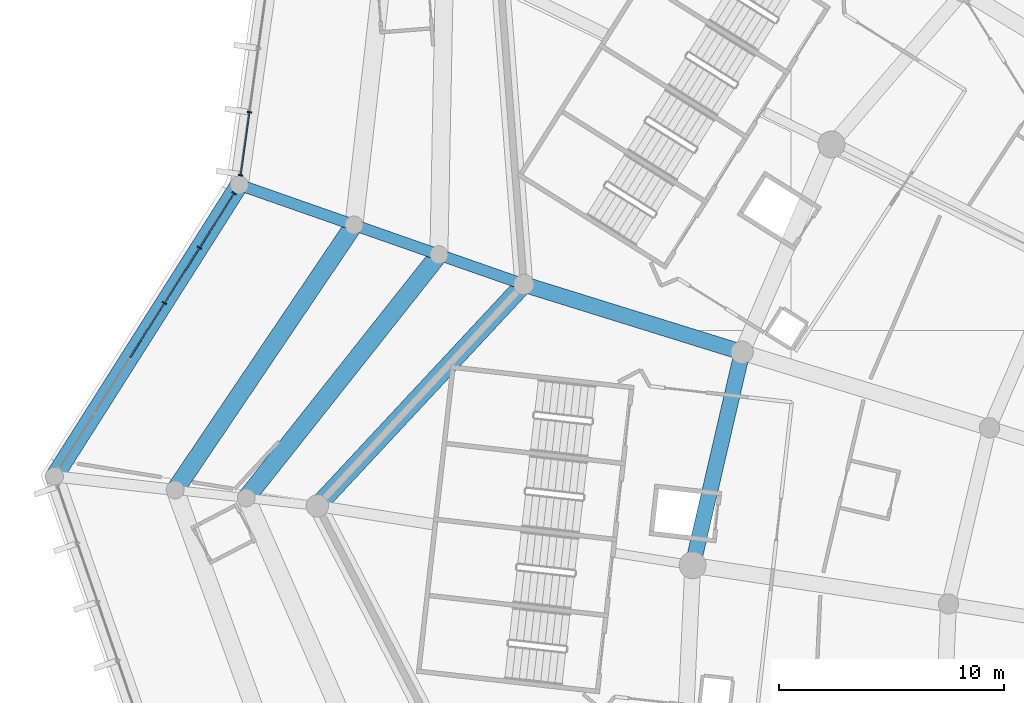
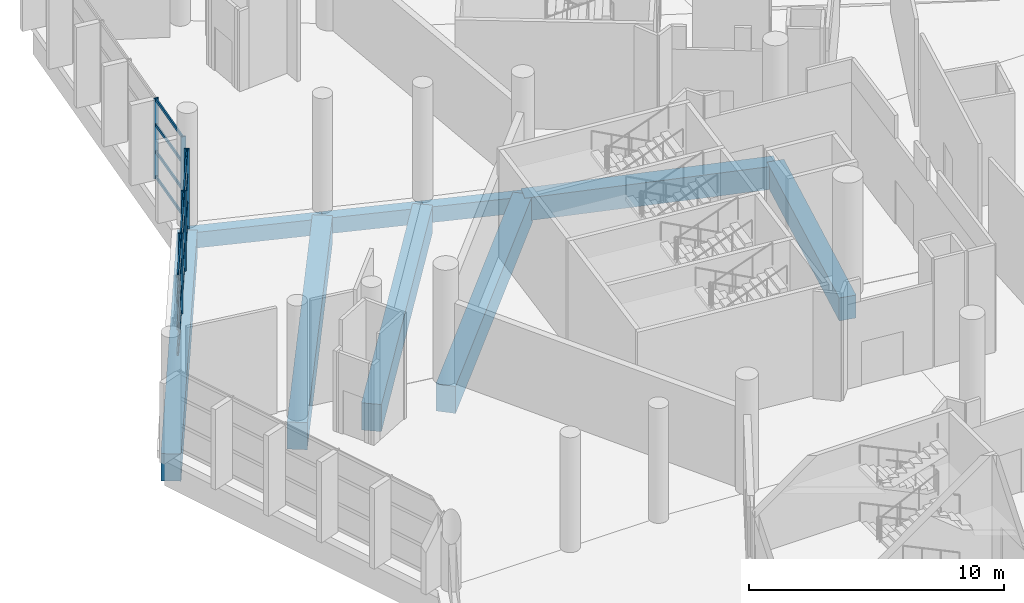
# One storey, part 72 of 271: 21 members, 9 beams, 2 elements without a shape of their own.
"""IFC4 building model written with IfcOpenShell, lengths in metres."""

from ifc_helpers import new_model, si_unit, direction, frame, origin, origin_2d, place, context, subcontext, project, spatial, rectangle, extrude, material, layer, layer_set, material_profile, profile_set, type_object, element, aggregate, save


model = new_model("IFC4")

# Units and contexts
model_context = context("Model", 3, precision=1e-05, world=origin(), true_north=direction((0.0, 1.0)))
body_context = subcontext(model_context, "Body", "Model", "MODEL_VIEW")
ifc_project = project(units=[si_unit("LENGTHUNIT", "METRE"), si_unit("AREAUNIT", "SQUARE_METRE"), si_unit("VOLUMEUNIT", "CUBIC_METRE"), si_unit("PLANEANGLEUNIT", "RADIAN"), si_unit("MASSUNIT", "GRAM", prefix="KILO")], contexts=[model_context])

# Site, building, storey
site_placement = place(None, origin())
site = spatial("IfcSite", under=ifc_project, at=site_placement, CompositionType="ELEMENT")
building_placement = place(site_placement, origin())
building = spatial("IfcBuilding", under=site, at=building_placement, Name="Meseta Stadium", CompositionType="ELEMENT")
storey_placement = place(building_placement, frame((0.0, 0.0, 6.5)))
storey = spatial("IfcBuildingStorey", under=building, at=storey_placement, Name="L01", CompositionType="ELEMENT", Elevation=6.5)

# Beams
ifc_material_1 = material(Name="Concrete C40/50", Category="concrete")
ifc_material_profile_1 = material_profile(ifc_material_1, rectangle(XDim=0.5, YDim=0.75, at=origin_2d()), Name="RC 500x750")
ifc_profile_set_1 = profile_set([ifc_material_profile_1], Name="Concrete C40/50")
beam_type_1 = type_object("IfcBeamType", Name="RC beam 500x750", PredefinedType="BEAM", material=ifc_profile_set_1)
for number, where, z_axis, x_axis, name in (
    (1, (-91.872802734375, 66.051513671875, -0.72509765625), (-0.943865968666, 0.330328674497, 0.0), (-0.330328674497, -0.943865968666, 0.0), "L01 radial beam frame 27 line R to M"),
    (2, (-95.648193359375, 67.372802734375, -0.72509765625), (-0.94389165523, 0.330255269735, 0.0), (-0.330255269735, -0.94389165523, 0.0), "L01 radial beam frame 27 line M to Q"),
):
    element("IfcBeam", number, at=place(storey_placement, frame(where, z_axis=z_axis, x_axis=x_axis)), inside=storey, type_object=beam_type_1, Name=name, PredefinedType="BEAM", context=body_context, shape_type="SweptSolid", body=[
        extrude(rectangle(XDim=0.5, YDim=0.75, at=origin_2d()), origin(), (0.0, 0.0, 1.0), 4.0),
    ])
beam_1_placement = place(storey_placement, frame((-99.423828125, 68.69384765625, -0.72509765625), z_axis=(-0.943885842652, 0.330271882003, 0.0), x_axis=(-0.330271882003, -0.943885842652, 0.0)))
element("IfcBeam", 3, at=beam_1_placement, inside=storey, type_object=beam_type_1, Name="L01 radial beam frame 27 line Q to O", PredefinedType="BEAM", context=body_context, shape_type="SweptSolid", body=[
    extrude(rectangle(XDim=0.5, YDim=0.75, at=origin_2d()), origin(), (0.0, 0.0, 1.0), 5.39990234375),
])
ifc_material_2 = material(Name="Concrete C40/50", Category="concrete")
ifc_material_profile_2 = material_profile(ifc_material_2, rectangle(XDim=0.699951171875, YDim=1.10009765625, at=origin_2d()), Name="RC 700x1100")
ifc_profile_set_2 = profile_set([ifc_material_profile_2], Name="Concrete C40/50")
beam_type_2 = type_object("IfcBeamType", Name="RC beam 700x1100", PredefinedType="BEAM", material=ifc_profile_set_2)
beam_2_placement = place(storey_placement, frame((-82.169189453125, 63.03369140625, -0.89990234375), z_axis=(-0.225749180431, -0.974185458491, 0.0), x_axis=(0.974185458491, -0.225749180431, 0.0)))
element("IfcBeam", 4, at=beam_2_placement, inside=storey, type_object=beam_type_2, Name="L01 ring beam frame 27 line P", PredefinedType="BEAM", context=body_context, shape_type="SweptSolid", body=[
    extrude(rectangle(XDim=0.699951171875, YDim=1.10009765625, at=origin_2d()), origin(), (0.0, 0.0, 1.0), 9.71923828125),
])
beam_3_placement = place(storey_placement, frame((-82.169189453125, 63.03369140625, -0.89990234375), z_axis=(-0.954886907796, 0.296969684176, 0.0), x_axis=(-0.296969684176, -0.954886907796, 0.0)))
element("IfcBeam", 5, at=beam_3_placement, inside=storey, type_object=beam_type_2, Name="L01 radial beam frame 27 line P to R", PredefinedType="BEAM", context=body_context, shape_type="SweptSolid", body=[
    extrude(rectangle(XDim=0.699951171875, YDim=1.10009765625, at=origin_2d()), origin(), (0.0, 0.0, 1.0), 10.162109375),
])
ifc_material_3 = material(Name="Concrete C40/50", Category="concrete")
ifc_material_profile_3 = material_profile(ifc_material_3, rectangle(XDim=0.800048828125, YDim=1.300048828125, at=origin_2d()), Name="RC 800x1300")
ifc_profile_set_3 = profile_set([ifc_material_profile_3], Name="Concrete C40/50")
beam_type_3 = type_object("IfcBeamType", Name="RC beam 800x1300", PredefinedType="BEAM", material=ifc_profile_set_3)
beam_4_placement = place(storey_placement, frame((-91.872802734375, 66.051513671875, -1.0), z_axis=(-0.681797952889, -0.73154053301, 0.0), x_axis=(0.73154053301, -0.681797952889, 0.0)))
element("IfcBeam", 6, at=beam_4_placement, inside=storey, type_object=beam_type_3, Name="L01 ring beam frame 27 line R", PredefinedType="BEAM", context=body_context, shape_type="SweptSolid", body=[
    extrude(rectangle(XDim=0.800048828125, YDim=1.300048828125, at=origin_2d()), origin(), (0.0, 0.0, 1.0), 13.462890625),
])
beam_5_placement = place(storey_placement, frame((-95.648193359375, 67.372802734375, -1.0), z_axis=(-0.620821710153, -0.783951786912, 0.0), x_axis=(0.783951786912, -0.620821710153, 0.0)))
element("IfcBeam", 7, at=beam_5_placement, inside=storey, type_object=beam_type_3, Name="L01 ring beam frame 27 line M", PredefinedType="BEAM", context=body_context, shape_type="SweptSolid", body=[
    extrude(rectangle(XDim=0.800048828125, YDim=1.300048828125, at=origin_2d()), origin(), (0.0, 0.0, 1.0), 13.794189453125),
])
beam_6_placement = place(storey_placement, frame((-99.423828125, 68.69384765625, -1.0), z_axis=(-0.559366030795, -0.828920770395, 0.0), x_axis=(0.828920770395, -0.559366030795, 0.0)))
element("IfcBeam", 8, at=beam_6_placement, inside=storey, type_object=beam_type_3, Name="L01 ring beam frame 27 line Q", PredefinedType="BEAM", context=body_context, shape_type="SweptSolid", body=[
    extrude(rectangle(XDim=0.800048828125, YDim=1.300048828125, at=origin_2d()), origin(), (0.0, 0.0, 1.0), 14.209716796875),
])
beam_7_placement = place(storey_placement, frame((-104.520751953125, 70.477294921875, -1.0), z_axis=(-0.535561122927, -0.844496467493, 0.0), x_axis=(0.844496467493, -0.535561122927, 0.0)))
element("IfcBeam", 9, at=beam_7_placement, inside=storey, type_object=beam_type_3, Name="L01 ring beam frame 27 line O", PredefinedType="BEAM", context=body_context, shape_type="SweptSolid", body=[
    extrude(rectangle(XDim=0.800048828125, YDim=1.300048828125, at=origin_2d()), origin(), (0.0, 0.0, 1.0), 15.34375),
])

# Curtain wall, members
ifc_material_4 = material(Name="Aluminium", Category="aluminium")
ifc_layer = layer(ifc_material_4, 0.199951171875)
ifc_layer_set = layer_set([ifc_layer], Name="Ring shopfront curtain wall")
curtain_wall_type = type_object("IfcCurtainWallType", Name="Ring shopfront curtain wall", PredefinedType="NOTDEFINED", material=ifc_layer_set)
curtain_wall_1_placement = place(storey_placement, origin())
curtain_wall_1 = element("IfcCurtainWall", 10, at=curtain_wall_1_placement, inside=storey, type_object=curtain_wall_type, Name="Ring glazing L01 F26", PredefinedType="NOTDEFINED")
ifc_material_5 = material(Name="Aluminium", Category="aluminium")
ifc_material_profile_4 = material_profile(ifc_material_5, rectangle(XDim=0.199951171875, YDim=0.06005859375, at=origin_2d()), Name="CW 200x60")
ifc_profile_set_4 = profile_set([ifc_material_profile_4], Name="Aluminium")
member_type_1 = type_object("IfcMemberType", Name="Ring CW mullion 60x200", PredefinedType="MULLION", material=ifc_profile_set_4)
member_1_placement = place(storey_placement, frame((-104.068115234375, 73.710205078125, 0.0), z_axis=(0.0, 0.0, 1.0), x_axis=(0.990342456098, -0.13864277713, 0.0)))
member_1 = element("IfcMember", 11, at=member_1_placement, type_object=member_type_1, Name="CWR1 mullion 5", PredefinedType="MULLION", context=body_context, shape_type="SweptSolid", body=[
    extrude(rectangle(XDim=0.199951171875, YDim=0.06005859375, at=origin_2d()), origin(), (0.0, 0.0, 1.0), 3.85009765625),
])
member_2_placement = place(storey_placement, frame((-104.461181640625, 70.903076171875, 0.0), z_axis=(0.0, 0.0, 1.0), x_axis=(0.990342456098, -0.13864277713, 0.0)))
member_2 = element("IfcMember", 12, at=member_2_placement, type_object=member_type_1, Name="CWR1 mullion 6", PredefinedType="MULLION", context=body_context, shape_type="SweptSolid", body=[
    extrude(rectangle(XDim=0.199951171875, YDim=0.06005859375, at=origin_2d()), origin(), (0.0, 0.0, 1.0), 3.85009765625),
])

curtain_wall_2_placement = place(storey_placement, origin())
curtain_wall_2 = element("IfcCurtainWall", 13, at=curtain_wall_2_placement, inside=storey, type_object=curtain_wall_type, Name="Ring glazing L01 F27", PredefinedType="NOTDEFINED")
member_3_placement = place(storey_placement, frame((-104.7509765625, 70.1142578125, 0.0), z_axis=(0.0, 0.0, 1.0), x_axis=(0.844491436677, -0.535569055659, 0.0)))
member_3 = element("IfcMember", 14, at=member_3_placement, type_object=member_type_1, Name="CWR1 mullion 1", PredefinedType="MULLION", context=body_context, shape_type="SweptSolid", body=[
    extrude(rectangle(XDim=0.199951171875, YDim=0.06005859375, at=origin_2d()), origin(), (0.0, 0.0, 1.0), 3.85009765625),
])
member_4_placement = place(storey_placement, frame((-106.292724609375, 67.68310546875, 0.0), z_axis=(0.0, 0.0, 1.0), x_axis=(0.844491436677, -0.535569055659, 0.0)))
member_4 = element("IfcMember", 15, at=member_4_placement, type_object=member_type_1, Name="CWR1 mullion 2", PredefinedType="MULLION", context=body_context, shape_type="SweptSolid", body=[
    extrude(rectangle(XDim=0.199951171875, YDim=0.06005859375, at=origin_2d()), origin(), (0.0, 0.0, 1.0), 3.85009765625),
])
member_5_placement = place(storey_placement, frame((-107.8505859375, 65.2265625, 0.0), z_axis=(0.0, 0.0, 1.0), x_axis=(0.844491436677, -0.535569055659, 0.0)))
member_5 = element("IfcMember", 16, at=member_5_placement, type_object=member_type_1, Name="CWR1 mullion 3", PredefinedType="MULLION", context=body_context, shape_type="SweptSolid", body=[
    extrude(rectangle(XDim=0.199951171875, YDim=0.06005859375, at=origin_2d()), origin(), (0.0, 0.0, 1.0), 3.85009765625),
])

# Member
ifc_material_6 = material(Name="Aluminium", Category="aluminium")
ifc_material_profile_5 = material_profile(ifc_material_6, rectangle(XDim=0.06005859375, YDim=0.14990234375, at=origin_2d()), Name="CW 60x150")
ifc_profile_set_5 = profile_set([ifc_material_profile_5], Name="Aluminium")
member_type_2 = type_object("IfcMemberType", Name="Ring CW transom 60x150", PredefinedType="USERDEFINED", material=ifc_profile_set_5)
member_6_placement = place(storey_placement, frame((-104.072265625, 73.680419921875, 0.074951171875), z_axis=(-0.138685819512, -0.990336429435, 0.0), x_axis=(0.990336429435, -0.138685819512, 0.0)))
member_6 = element("IfcMember", 17, at=member_6_placement, type_object=member_type_2, Name="CWR1 transom 5.1", ObjectType="TRANSOM", PredefinedType="USERDEFINED", context=body_context, shape_type="SweptSolid", body=[
    extrude(rectangle(XDim=0.06005859375, YDim=0.14990234375, at=origin_2d()), origin(), (0.0, 0.0, 1.0), 2.7744140625),
])

member_7_placement = place(storey_placement, frame((-104.072265625, 73.680419921875, 1.283447265625), z_axis=(-0.138685819512, -0.990336429435, 0.0), x_axis=(0.990336429435, -0.138685819512, 0.0)))
member_7 = element("IfcMember", 18, at=member_7_placement, type_object=member_type_2, Name="CWR1 transom 5.2", ObjectType="TRANSOM", PredefinedType="USERDEFINED", context=body_context, shape_type="SweptSolid", body=[
    extrude(rectangle(XDim=0.06005859375, YDim=0.14990234375, at=origin_2d()), origin(), (0.0, 0.0, 1.0), 2.7744140625),
])

member_8_placement = place(storey_placement, frame((-104.072265625, 73.680419921875, 2.566650390625), z_axis=(-0.138685819512, -0.990336429435, 0.0), x_axis=(0.990336429435, -0.138685819512, 0.0)))
member_8 = element("IfcMember", 19, at=member_8_placement, type_object=member_type_2, Name="CWR1 transom 5.3", ObjectType="TRANSOM", PredefinedType="USERDEFINED", context=body_context, shape_type="SweptSolid", body=[
    extrude(rectangle(XDim=0.06005859375, YDim=0.14990234375, at=origin_2d()), origin(), (0.0, 0.0, 1.0), 2.7744140625),
])

member_9_placement = place(storey_placement, frame((-104.072265625, 73.680419921875, 3.77490234375), z_axis=(-0.138685819512, -0.990336429435, 0.0), x_axis=(0.990336429435, -0.138685819512, 0.0)))
member_9 = element("IfcMember", 20, at=member_9_placement, type_object=member_type_2, Name="CWR1 transom 5.4", ObjectType="TRANSOM", PredefinedType="USERDEFINED", context=body_context, shape_type="SweptSolid", body=[
    extrude(rectangle(XDim=0.06005859375, YDim=0.14990234375, at=origin_2d()), origin(), (0.0, 0.0, 1.0), 2.7744140625),
])

aggregate(curtain_wall_1, [member_1, member_2, member_6, member_7, member_8, member_9])

member_10_placement = place(storey_placement, frame((-104.76708984375, 70.0888671875, 0.074951171875), z_axis=(-0.53560831474, -0.844466537632, 0.0), x_axis=(0.844466537632, -0.53560831474, 0.0)))
member_10 = element("IfcMember", 21, at=member_10_placement, type_object=member_type_2, Name="CWR1 transom 1.1", ObjectType="TRANSOM", PredefinedType="USERDEFINED", context=body_context, shape_type="SweptSolid", body=[
    extrude(rectangle(XDim=0.06005859375, YDim=0.14990234375, at=origin_2d()), origin(), (0.0, 0.0, 1.0), 2.81884765625),
])

member_11_placement = place(storey_placement, frame((-104.76708984375, 70.0888671875, 1.283447265625), z_axis=(-0.53560831474, -0.844466537632, 0.0), x_axis=(0.844466537632, -0.53560831474, 0.0)))
member_11 = element("IfcMember", 22, at=member_11_placement, type_object=member_type_2, Name="CWR1 transom 1.2", ObjectType="TRANSOM", PredefinedType="USERDEFINED", context=body_context, shape_type="SweptSolid", body=[
    extrude(rectangle(XDim=0.06005859375, YDim=0.14990234375, at=origin_2d()), origin(), (0.0, 0.0, 1.0), 2.81884765625),
])

member_12_placement = place(storey_placement, frame((-104.76708984375, 70.0888671875, 2.566650390625), z_axis=(-0.53560831474, -0.844466537632, 0.0), x_axis=(0.844466537632, -0.53560831474, 0.0)))
member_12 = element("IfcMember", 23, at=member_12_placement, type_object=member_type_2, Name="CWR1 transom 1.3", ObjectType="TRANSOM", PredefinedType="USERDEFINED", context=body_context, shape_type="SweptSolid", body=[
    extrude(rectangle(XDim=0.06005859375, YDim=0.14990234375, at=origin_2d()), origin(), (0.0, 0.0, 1.0), 2.81884765625),
])

member_13_placement = place(storey_placement, frame((-104.76708984375, 70.0888671875, 3.77490234375), z_axis=(-0.53560831474, -0.844466537632, 0.0), x_axis=(0.844466537632, -0.53560831474, 0.0)))
member_13 = element("IfcMember", 24, at=member_13_placement, type_object=member_type_2, Name="CWR1 transom 1.4", ObjectType="TRANSOM", PredefinedType="USERDEFINED", context=body_context, shape_type="SweptSolid", body=[
    extrude(rectangle(XDim=0.06005859375, YDim=0.14990234375, at=origin_2d()), origin(), (0.0, 0.0, 1.0), 2.81884765625),
])

member_14_placement = place(storey_placement, frame((-106.308837890625, 67.65771484375, 0.074951171875), z_axis=(-0.535610596293, -0.844465090539, 0.0), x_axis=(0.844465090539, -0.535610596293, 0.0)))
member_14 = element("IfcMember", 25, at=member_14_placement, type_object=member_type_2, Name="CWR1 transom 2.1", ObjectType="TRANSOM", PredefinedType="USERDEFINED", context=body_context, shape_type="SweptSolid", body=[
    extrude(rectangle(XDim=0.06005859375, YDim=0.14990234375, at=origin_2d()), origin(), (0.0, 0.0, 1.0), 2.848876953125),
])

member_15_placement = place(storey_placement, frame((-106.308837890625, 67.65771484375, 1.283447265625), z_axis=(-0.535610596293, -0.844465090539, 0.0), x_axis=(0.844465090539, -0.535610596293, 0.0)))
member_15 = element("IfcMember", 26, at=member_15_placement, type_object=member_type_2, Name="CWR1 transom 2.2", ObjectType="TRANSOM", PredefinedType="USERDEFINED", context=body_context, shape_type="SweptSolid", body=[
    extrude(rectangle(XDim=0.06005859375, YDim=0.14990234375, at=origin_2d()), origin(), (0.0, 0.0, 1.0), 2.848876953125),
])

member_16_placement = place(storey_placement, frame((-106.308837890625, 67.65771484375, 2.566650390625), z_axis=(-0.535610596293, -0.844465090539, 0.0), x_axis=(0.844465090539, -0.535610596293, 0.0)))
member_16 = element("IfcMember", 27, at=member_16_placement, type_object=member_type_2, Name="CWR1 transom 2.3", ObjectType="TRANSOM", PredefinedType="USERDEFINED", context=body_context, shape_type="SweptSolid", body=[
    extrude(rectangle(XDim=0.06005859375, YDim=0.14990234375, at=origin_2d()), origin(), (0.0, 0.0, 1.0), 2.848876953125),
])

member_17_placement = place(storey_placement, frame((-106.308837890625, 67.65771484375, 3.77490234375), z_axis=(-0.535610596293, -0.844465090539, 0.0), x_axis=(0.844465090539, -0.535610596293, 0.0)))
member_17 = element("IfcMember", 28, at=member_17_placement, type_object=member_type_2, Name="CWR1 transom 2.4", ObjectType="TRANSOM", PredefinedType="USERDEFINED", context=body_context, shape_type="SweptSolid", body=[
    extrude(rectangle(XDim=0.06005859375, YDim=0.14990234375, at=origin_2d()), origin(), (0.0, 0.0, 1.0), 2.848876953125),
])

member_18_placement = place(storey_placement, frame((-107.86669921875, 65.201416015625, 0.074951171875), z_axis=(-0.535549479234, -0.844503851556, 0.0), x_axis=(0.844503851556, -0.535549479234, 0.0)))
member_18 = element("IfcMember", 29, at=member_18_placement, type_object=member_type_2, Name="CWR1 transom 3.1", ObjectType="TRANSOM", PredefinedType="USERDEFINED", context=body_context, shape_type="SweptSolid", body=[
    extrude(rectangle(XDim=0.06005859375, YDim=0.14990234375, at=origin_2d()), origin(), (0.0, 0.0, 1.0), 2.8486328125),
])

member_19_placement = place(storey_placement, frame((-107.86669921875, 65.201416015625, 1.283447265625), z_axis=(-0.535549479234, -0.844503851556, 0.0), x_axis=(0.844503851556, -0.535549479234, 0.0)))
member_19 = element("IfcMember", 30, at=member_19_placement, type_object=member_type_2, Name="CWR1 transom 3.2", ObjectType="TRANSOM", PredefinedType="USERDEFINED", context=body_context, shape_type="SweptSolid", body=[
    extrude(rectangle(XDim=0.06005859375, YDim=0.14990234375, at=origin_2d()), origin(), (0.0, 0.0, 1.0), 2.8486328125),
])

member_20_placement = place(storey_placement, frame((-107.86669921875, 65.201416015625, 2.566650390625), z_axis=(-0.535549479234, -0.844503851556, 0.0), x_axis=(0.844503851556, -0.535549479234, 0.0)))
member_20 = element("IfcMember", 31, at=member_20_placement, type_object=member_type_2, Name="CWR1 transom 3.3", ObjectType="TRANSOM", PredefinedType="USERDEFINED", context=body_context, shape_type="SweptSolid", body=[
    extrude(rectangle(XDim=0.06005859375, YDim=0.14990234375, at=origin_2d()), origin(), (0.0, 0.0, 1.0), 2.8486328125),
])

member_21_placement = place(storey_placement, frame((-107.86669921875, 65.201416015625, 3.77490234375), z_axis=(-0.535549479234, -0.844503851556, 0.0), x_axis=(0.844503851556, -0.535549479234, 0.0)))
member_21 = element("IfcMember", 32, at=member_21_placement, type_object=member_type_2, Name="CWR1 transom 3.4", ObjectType="TRANSOM", PredefinedType="USERDEFINED", context=body_context, shape_type="SweptSolid", body=[
    extrude(rectangle(XDim=0.06005859375, YDim=0.14990234375, at=origin_2d()), origin(), (0.0, 0.0, 1.0), 2.8486328125),
])

aggregate(curtain_wall_2, [member_3, member_4, member_5, member_10, member_11, member_12, member_13, member_14, member_15, member_16, member_17, member_18, member_19, member_20, member_21])

save(model, "model.ifc")
